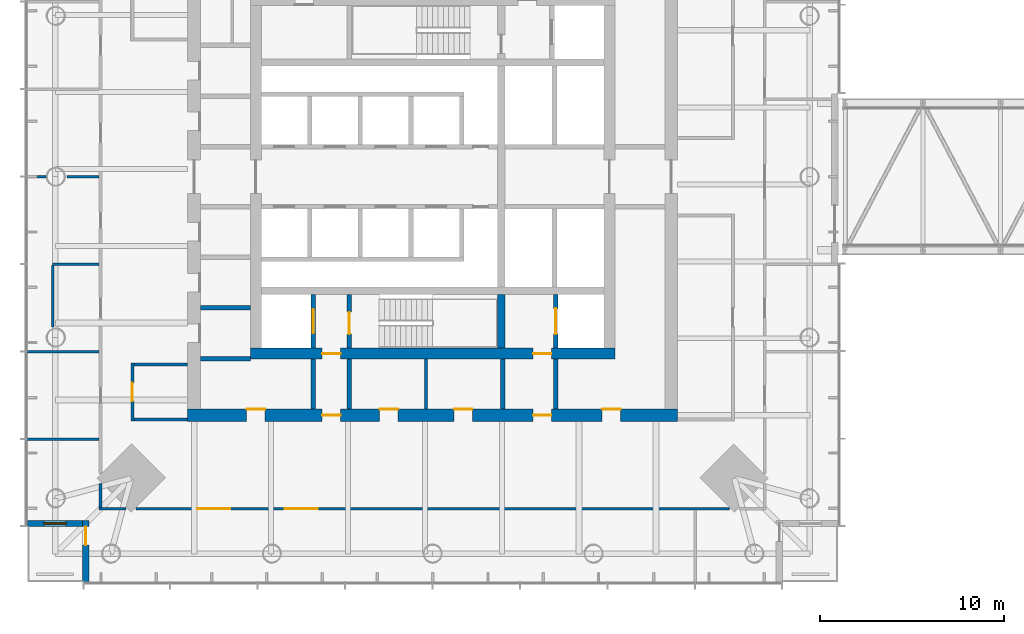
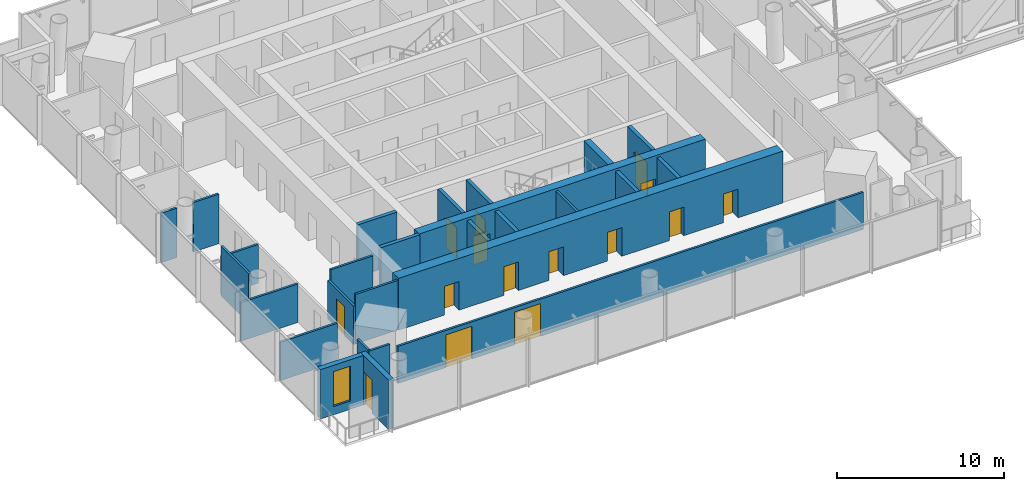
# One storey, part 12 of 19: 27 walls, 15 doors, 1 window, 16 openings.
"""IFC4 building model written with IfcOpenShell, lengths in metres."""

from ifc_helpers import new_model, si_unit, direction, frame, frame_2d, origin, place, context, subcontext, project, spatial, rectangle, extrude, material, layer, layer_set, type_object, element, fill, save


model = new_model("IFC4")

# Units and contexts
model_context = context("Model", 3, precision=1e-05, world=origin(), true_north=direction((0.0, 1.0)))
body_context = subcontext(model_context, "Body", "Model", "MODEL_VIEW")
ifc_project = project(units=[si_unit("LENGTHUNIT", "METRE"), si_unit("AREAUNIT", "SQUARE_METRE"), si_unit("VOLUMEUNIT", "CUBIC_METRE"), si_unit("PLANEANGLEUNIT", "RADIAN"), si_unit("MASSUNIT", "GRAM", prefix="KILO")], contexts=[model_context])

# Site, building, storey
site_placement = place(None, origin())
site = spatial("IfcSite", under=ifc_project, at=site_placement, CompositionType="ELEMENT")
building_placement = place(site_placement, origin())
building = spatial("IfcBuilding", under=site, at=building_placement, Name="Ostroluk Exchange", CompositionType="ELEMENT")
storey_placement = place(building_placement, frame((0.0, 0.0, 131.199951171875)))
storey = spatial("IfcBuildingStorey", under=building, at=storey_placement, Name="L33", CompositionType="ELEMENT", Elevation=131.199951171875)

# Walls
ifc_material_1 = material(Name="Concrete blockwork", Category="masonry")
ifc_layer_1 = layer(ifc_material_1, 0.14990234375)
ifc_layer_set_1 = layer_set([ifc_layer_1], Name="Blockwork plant room wall 150")
wall_type_1 = type_object("IfcWallType", Name="Blockwork plant room wall 150", PredefinedType="SOLIDWALL", material=ifc_layer_set_1)
wall_1_placement = place(storey_placement, frame((44.639892578125, 33.39990234375, 0.0), z_axis=(0.0, 0.0, 1.0), x_axis=(0.0, 1.0, 0.0)))
element("IfcWall", 1, at=wall_1_placement, inside=storey, type_object=wall_type_1, Name="Core room wall", PredefinedType="SOLIDWALL", context=body_context, shape_type="SweptSolid", body=[
    extrude(rectangle(XDim=2.7001953125, YDim=0.14990234375, at=frame_2d((1.35009765625, 0.0))), origin(), (0.0, 0.0, 1.0), 3.6201171875),
])
ifc_material_2 = material(Name="Concrete blockwork", Category="masonry")
ifc_layer_2 = layer(ifc_material_2, 0.25)
ifc_layer_set_2 = layer_set([ifc_layer_2], Name="Blockwork stair enclosure wall 250")
wall_type_2 = type_object("IfcWallType", Name="Blockwork stair enclosure wall 250", PredefinedType="SOLIDWALL", material=ifc_layer_set_2)
for number, where, z_axis, x_axis, name in (
    (2, (38.52490234375, 33.39990234375, 0.0), (0.0, 0.0, 1.0), (0.0, 1.0, 0.0), "Fire lobby enclosure wall"),
    (3, (40.47509765625, 33.39990234375, 0.0), (0.0, 0.0, 1.0), (0.0, 1.0, 0.0), "Fire lobby enclosure wall"),
    (4, (48.804931640625, 33.39990234375, 0.0), (0.0, 0.0, 1.0), (0.0, 1.0, 0.0), "Service lobby enclosure wall"),
    (5, (51.675048828125, 33.39990234375, 0.0), (0.0, 0.0, 1.0), (0.0, 1.0, 0.0), "Service lobby enclosure wall"),
):
    element("IfcWall", number, at=place(storey_placement, frame(where, z_axis=z_axis, x_axis=x_axis)), inside=storey, type_object=wall_type_2, Name=name, PredefinedType="SOLIDWALL", context=body_context, shape_type="SweptSolid", body=[
        extrude(rectangle(XDim=2.7001953125, YDim=0.25, at=frame_2d((1.35009765625, 0.0))), origin(), (0.0, 0.0, 1.0), 3.6201171875),
    ])
ifc_material_3 = material(Name="Concrete C50/60", Category="concrete")
ifc_layer_3 = layer(ifc_material_3, 0.39990234375)
ifc_layer_set_3 = layer_set([ifc_layer_3], Name="Core cross wall 400 C50/60")
wall_type_3 = type_object("IfcWallType", Name="Core cross wall 400 C50/60", PredefinedType="SHEAR", material=ifc_layer_set_3)
wall_2_placement = place(storey_placement, frame((48.72998046875, 36.699951171875, 0.0), z_axis=(0.0, 0.0, 1.0), x_axis=(0.0, 1.0, 0.0)))
element("IfcWall", 6, at=wall_2_placement, inside=storey, type_object=wall_type_3, Name="T1 core wall YE1", PredefinedType="SHEAR", context=body_context, shape_type="SweptSolid", body=[
    extrude(rectangle(XDim=2.900146484375, YDim=0.39990234375, at=frame_2d((1.4501953125, 0.0))), origin(), (0.0, 0.0, 1.0), 3.800048828125),
])

# Wall, opening, door
ifc_material_4 = material(Name="Concrete C40/50", Category="concrete")
ifc_layer_4 = layer(ifc_material_4, 0.25)
ifc_layer_set_4 = layer_set([ifc_layer_4], Name="Core shaft wall 250")
wall_type_4 = type_object("IfcWallType", Name="Core shaft wall 250", PredefinedType="SHEAR", material=ifc_layer_set_4)
wall_3_placement = place(storey_placement, frame((38.52490234375, 36.699951171875, 0.0), z_axis=(0.0, 0.0, 1.0), x_axis=(0.0, 1.0, 0.0)))
wall_3 = element("IfcWall", 7, at=wall_3_placement, inside=storey, type_object=wall_type_4, Name="Firefighting lift shaft wall", PredefinedType="SHEAR", context=body_context, shape_type="SweptSolid", body=[
    extrude(rectangle(XDim=2.900146484375, YDim=0.25, at=frame_2d((1.4501953125, 0.0))), origin(), (0.0, 0.0, 1.0), 3.800048828125),
])
opening_1_placement = place(wall_3_placement, frame((0.800048828125, 0.0, 0.0)))
opening_1 = element("IfcOpeningElement", 8, at=opening_1_placement, cuts=wall_3, Name="Opening LD2", PredefinedType="OPENING", context=body_context, shape_type="SweptSolid", body=[
    extrude(rectangle(XDim=1.300048828125, YDim=2.199951171875, at=frame_2d((0.64990234375, 1.10009765625))), frame((0.0, 0.135009765625, 0.0), z_axis=(0.0, -1.0, 0.0), x_axis=(1.0, 0.0, 0.0)), (0.0, 0.0, 1.0), 0.27001953125),
])
ifc_material_5 = material(Name="Stainless steel", Category="steel")
door_type_1 = type_object("IfcDoorType", Name="Lift landing door E 60 1300 x 2200", OperationType="DOUBLE_DOOR_SLIDING", PredefinedType="DOOR", material=ifc_material_5)
door_1_placement = place(opening_1_placement, origin())
door_1 = element("IfcDoor", 9, at=door_1_placement, inside=storey, type_object=door_type_1, Name="Lift FL1 landing door", OperationType="DOUBLE_DOOR_SLIDING", OverallHeight=2.199951171875, OverallWidth=1.300048828125, PredefinedType="DOOR", context=body_context, shape_type="SweptSolid", body=[
    extrude(rectangle(XDim=1.300048828125, YDim=2.199951171875, at=frame_2d((0.64990234375, 1.10009765625))), frame((0.0, 0.02490234375, 0.0), z_axis=(0.0, -1.0, 0.0), x_axis=(1.0, 0.0, 0.0)), (0.0, 0.0, 1.0), 0.050048828125),
])
fill(opening_1, door_1)

wall_4_placement = place(storey_placement, frame((40.47509765625, 36.699951171875, 0.0), z_axis=(0.0, 0.0, 1.0), x_axis=(0.0, 1.0, 0.0)))
wall_4 = element("IfcWall", 10, at=wall_4_placement, inside=storey, type_object=wall_type_4, Name="Stair shaft wall", PredefinedType="SHEAR", context=body_context, shape_type="SweptSolid", body=[
    extrude(rectangle(XDim=2.900146484375, YDim=0.25, at=frame_2d((1.4501953125, 0.0))), origin(), (0.0, 0.0, 1.0), 3.800048828125),
])
opening_2_placement = place(wall_4_placement, frame((0.75, 0.0, 0.0)))
opening_2 = element("IfcOpeningElement", 11, at=opening_2_placement, cuts=wall_4, Name="Opening FD60S", PredefinedType="OPENING", context=body_context, shape_type="SweptSolid", body=[
    extrude(rectangle(XDim=1.199951171875, YDim=2.10009765625, at=frame_2d((0.60009765625, 1.050048828125))), frame((0.0, 0.135009765625, 0.0), z_axis=(0.0, -1.0, 0.0), x_axis=(1.0, 0.0, 0.0)), (0.0, 0.0, 1.0), 0.27001953125),
])
ifc_material_6 = material(Name="Steel", Category="steel")
door_type_2 = type_object("IfcDoorType", Name="Stair door EI 60 1200 x 2100", OperationType="SINGLE_SWING_LEFT", PredefinedType="DOOR", material=ifc_material_6)
door_2_placement = place(opening_2_placement, origin())
door_2 = element("IfcDoor", 12, at=door_2_placement, inside=storey, type_object=door_type_2, Name="Stair T1-S1 door", OperationType="SINGLE_SWING_LEFT", OverallHeight=2.10009765625, OverallWidth=1.199951171875, PredefinedType="DOOR", context=body_context, shape_type="SweptSolid", body=[
    extrude(rectangle(XDim=1.199951171875, YDim=2.10009765625, at=frame_2d((0.60009765625, 1.050048828125))), frame((0.0, 0.02490234375, 0.0), z_axis=(0.0, -1.0, 0.0), x_axis=(1.0, 0.0, 0.0)), (0.0, 0.0, 1.0), 0.050048828125),
])
fill(opening_2, door_2)

wall_5_placement = place(storey_placement, frame((51.675048828125, 36.699951171875, 0.0), z_axis=(0.0, 0.0, 1.0), x_axis=(0.0, 1.0, 0.0)))
wall_5 = element("IfcWall", 13, at=wall_5_placement, inside=storey, type_object=wall_type_4, Name="Service lift shaft wall", PredefinedType="SHEAR", context=body_context, shape_type="SweptSolid", body=[
    extrude(rectangle(XDim=2.900146484375, YDim=0.25, at=frame_2d((1.4501953125, 0.0))), origin(), (0.0, 0.0, 1.0), 3.800048828125),
])
opening_3_placement = place(wall_5_placement, frame((0.75, 0.0, 0.0)))
opening_3 = element("IfcOpeningElement", 14, at=opening_3_placement, cuts=wall_5, Name="Opening LD3", PredefinedType="OPENING", context=body_context, shape_type="SweptSolid", body=[
    extrude(rectangle(XDim=1.39990234375, YDim=2.39990234375, at=frame_2d((0.699951171875, 1.199951171875))), frame((0.0, 0.135009765625, 0.0), z_axis=(0.0, -1.0, 0.0), x_axis=(1.0, 0.0, 0.0)), (0.0, 0.0, 1.0), 0.27001953125),
])
ifc_material_7 = material(Name="Stainless steel", Category="steel")
door_type_3 = type_object("IfcDoorType", Name="Goods lift landing door E 60 1400 x 2400", OperationType="DOUBLE_DOOR_SLIDING", PredefinedType="DOOR", material=ifc_material_7)
door_3_placement = place(opening_3_placement, origin())
door_3 = element("IfcDoor", 15, at=door_3_placement, inside=storey, type_object=door_type_3, Name="Lift SL1 landing door", OperationType="DOUBLE_DOOR_SLIDING", OverallHeight=2.39990234375, OverallWidth=1.39990234375, PredefinedType="DOOR", context=body_context, shape_type="SweptSolid", body=[
    extrude(rectangle(XDim=1.39990234375, YDim=2.39990234375, at=frame_2d((0.699951171875, 1.199951171875))), frame((0.0, 0.02490234375, 0.0), z_axis=(0.0, -1.0, 0.0), x_axis=(1.0, 0.0, 0.0)), (0.0, 0.0, 1.0), 0.050048828125),
])
fill(opening_3, door_3)

# Walls
for number, where, z_axis, x_axis, name in (
    (16, (32.39990234375, 36.125, 0.0), (0.0, 0.0, 1.0), (1.0, 0.0, 0.0), "Lift shaft wall"),
    (17, (32.39990234375, 38.875, 0.0), (0.0, 0.0, 1.0), (1.0, 0.0, 0.0), "Lift shaft wall"),
):
    element("IfcWall", number, at=place(storey_placement, frame(where, z_axis=z_axis, x_axis=x_axis)), inside=storey, type_object=wall_type_4, Name=name, PredefinedType="SHEAR", context=body_context, shape_type="SweptSolid", body=[
        extrude(rectangle(XDim=2.7001953125, YDim=0.25, at=frame_2d((1.35009765625, 0.0))), origin(), (0.0, 0.0, 1.0), 3.800048828125),
    ])

# Wall, openings, doors
ifc_material_8 = material(Name="Concrete C50/60", Category="concrete")
ifc_layer_5 = layer(ifc_material_8, 0.60009765625)
ifc_layer_set_5 = layer_set([ifc_layer_5], Name="Core wall 600 C50/60")
wall_type_5 = type_object("IfcWallType", Name="Core wall 600 C50/60", PredefinedType="SHEAR", material=ifc_layer_set_5)
wall_6_placement = place(storey_placement, frame((35.10009765625, 36.39990234375, 0.0), z_axis=(0.0, 0.0, 1.0), x_axis=(1.0, 0.0, 0.0)))
wall_6 = element("IfcWall", 18, at=wall_6_placement, inside=storey, type_object=wall_type_5, Name="T1 core wall S", PredefinedType="SHEAR", context=body_context, shape_type="SweptSolid", body=[
    extrude(rectangle(XDim=19.7998046875, YDim=0.60009765625, at=frame_2d((9.89990234375, 0.0))), origin(), (0.0, 0.0, 1.0), 3.800048828125),
])
opening_4_placement = place(wall_6_placement, frame((3.89990234375, 0.0, 0.0)))
opening_4 = element("IfcOpeningElement", 19, at=opening_4_placement, cuts=wall_6, Name="Opening FD60", PredefinedType="OPENING", context=body_context, shape_type="SweptSolid", body=[
    extrude(rectangle(XDim=1.0, YDim=2.10009765625, at=frame_2d((0.5, 1.050048828125))), frame((0.0, 0.31005859375, 0.0), z_axis=(0.0, -1.0, 0.0), x_axis=(1.0, 0.0, 0.0)), (0.0, 0.0, 1.0), 0.6201171875),
])
opening_5_placement = place(wall_6_placement, frame((15.35009765625, 0.0, 0.0)))
opening_5 = element("IfcOpeningElement", 20, at=opening_5_placement, cuts=wall_6, Name="Opening FD60", PredefinedType="OPENING", context=body_context, shape_type="SweptSolid", body=[
    extrude(rectangle(XDim=1.0, YDim=2.10009765625, at=frame_2d((0.5, 1.050048828125))), frame((0.0, 0.31005859375, 0.0), z_axis=(0.0, -1.0, 0.0), x_axis=(1.0, 0.0, 0.0)), (0.0, 0.0, 1.0), 0.6201171875),
])
ifc_material_9 = material(Name="Steel", Category="steel")
door_type_4 = type_object("IfcDoorType", Name="Fire door EI 60 1000 x 2100", OperationType="SINGLE_SWING_LEFT", PredefinedType="DOOR", material=ifc_material_9)
door_4_placement = place(opening_4_placement, origin())
door_4 = element("IfcDoor", 21, at=door_4_placement, inside=storey, type_object=door_type_4, Name="Firefighting lobby door", OperationType="SINGLE_SWING_LEFT", OverallHeight=2.10009765625, OverallWidth=1.0, PredefinedType="DOOR", context=body_context, shape_type="SweptSolid", body=[
    extrude(rectangle(XDim=1.0, YDim=2.10009765625, at=frame_2d((0.5, 1.050048828125))), frame((0.0, 0.02490234375, 0.0), z_axis=(0.0, -1.0, 0.0), x_axis=(1.0, 0.0, 0.0)), (0.0, 0.0, 1.0), 0.050048828125),
])
fill(opening_4, door_4)
door_5_placement = place(opening_5_placement, origin())
door_5 = element("IfcDoor", 22, at=door_5_placement, inside=storey, type_object=door_type_4, Name="Service lobby door", OperationType="SINGLE_SWING_RIGHT", OverallHeight=2.10009765625, OverallWidth=1.0, PredefinedType="DOOR", context=body_context, shape_type="SweptSolid", body=[
    extrude(rectangle(XDim=1.0, YDim=2.10009765625, at=frame_2d((0.5, 1.050048828125))), frame((0.0, 0.02490234375, 0.0), z_axis=(0.0, -1.0, 0.0), x_axis=(1.0, 0.0, 0.0)), (0.0, 0.0, 1.0), 0.050048828125),
])
fill(opening_5, door_5)

ifc_material_10 = material(Name="Concrete C50/60", Category="concrete")
ifc_layer_6 = layer(ifc_material_10, 0.699951171875)
ifc_layer_set_6 = layer_set([ifc_layer_6], Name="Core wall 700 C50/60")
wall_type_6 = type_object("IfcWallType", Name="Core wall 700 C50/60", PredefinedType="SHEAR", material=ifc_layer_set_6)
wall_7_placement = place(storey_placement, frame((31.699951171875, 33.050048828125, 0.0), z_axis=(0.0, 0.0, 1.0), x_axis=(1.0, 0.0, 0.0)))
wall_7 = element("IfcWall", 23, at=wall_7_placement, inside=storey, type_object=wall_type_6, Name="T1 core wall RS", PredefinedType="SHEAR", context=body_context, shape_type="SweptSolid", body=[
    extrude(rectangle(XDim=26.60009765625, YDim=0.699951171875, at=frame_2d((13.300048828125, 0.0))), origin(), (0.0, 0.0, 1.0), 3.800048828125),
])
opening_6_placement = place(wall_7_placement, frame((7.300048828125, 0.0, 0.0)))
opening_6 = element("IfcOpeningElement", 24, at=opening_6_placement, cuts=wall_7, Name="Opening FD60", PredefinedType="OPENING", context=body_context, shape_type="SweptSolid", body=[
    extrude(rectangle(XDim=1.0, YDim=2.10009765625, at=frame_2d((0.5, 1.050048828125))), frame((0.0, 0.35986328125, 0.0), z_axis=(0.0, -1.0, 0.0), x_axis=(1.0, 0.0, 0.0)), (0.0, 0.0, 1.0), 0.719970703125),
])
opening_7_placement = place(wall_7_placement, frame((18.75, 0.0, 0.0)))
opening_7 = element("IfcOpeningElement", 25, at=opening_7_placement, cuts=wall_7, Name="Opening FD60", PredefinedType="OPENING", context=body_context, shape_type="SweptSolid", body=[
    extrude(rectangle(XDim=1.0, YDim=2.10009765625, at=frame_2d((0.5, 1.050048828125))), frame((0.0, 0.35986328125, 0.0), z_axis=(0.0, -1.0, 0.0), x_axis=(1.0, 0.0, 0.0)), (0.0, 0.0, 1.0), 0.719970703125),
])
opening_8_placement = place(wall_7_placement, frame((3.199951171875, 0.0, 0.0)))
opening_8 = element("IfcOpeningElement", 26, at=opening_8_placement, cuts=wall_7, Name="Opening FD60", PredefinedType="OPENING", context=body_context, shape_type="SweptSolid", body=[
    extrude(rectangle(XDim=1.0, YDim=2.10009765625, at=frame_2d((0.5, 1.050048828125))), frame((0.0, 0.35986328125, 0.0), z_axis=(0.0, -1.0, 0.0), x_axis=(1.0, 0.0, 0.0)), (0.0, 0.0, 1.0), 0.719970703125),
])
opening_9_placement = place(wall_7_placement, frame((10.419921875, 0.0, 0.0)))
opening_9 = element("IfcOpeningElement", 27, at=opening_9_placement, cuts=wall_7, Name="Opening FD60", PredefinedType="OPENING", context=body_context, shape_type="SweptSolid", body=[
    extrude(rectangle(XDim=1.0, YDim=2.10009765625, at=frame_2d((0.5, 1.050048828125))), frame((0.0, 0.35986328125, 0.0), z_axis=(0.0, -1.0, 0.0), x_axis=(1.0, 0.0, 0.0)), (0.0, 0.0, 1.0), 0.719970703125),
])
opening_10_placement = place(wall_7_placement, frame((14.4599609375, 0.0, 0.0)))
opening_10 = element("IfcOpeningElement", 28, at=opening_10_placement, cuts=wall_7, Name="Opening FD60", PredefinedType="OPENING", context=body_context, shape_type="SweptSolid", body=[
    extrude(rectangle(XDim=1.0, YDim=2.10009765625, at=frame_2d((0.5, 1.050048828125))), frame((0.0, 0.35986328125, 0.0), z_axis=(0.0, -1.0, 0.0), x_axis=(1.0, 0.0, 0.0)), (0.0, 0.0, 1.0), 0.719970703125),
])
opening_11_placement = place(wall_7_placement, frame((22.5, 0.0, 0.0)))
opening_11 = element("IfcOpeningElement", 29, at=opening_11_placement, cuts=wall_7, Name="Opening FD60", PredefinedType="OPENING", context=body_context, shape_type="SweptSolid", body=[
    extrude(rectangle(XDim=1.0, YDim=2.10009765625, at=frame_2d((0.5, 1.050048828125))), frame((0.0, 0.35986328125, 0.0), z_axis=(0.0, -1.0, 0.0), x_axis=(1.0, 0.0, 0.0)), (0.0, 0.0, 1.0), 0.719970703125),
])
door_6_placement = place(opening_6_placement, origin())
door_6 = element("IfcDoor", 30, at=door_6_placement, inside=storey, type_object=door_type_4, Name="Firefighting lobby door", OperationType="SINGLE_SWING_LEFT", OverallHeight=2.10009765625, OverallWidth=1.0, PredefinedType="DOOR", context=body_context, shape_type="SweptSolid", body=[
    extrude(rectangle(XDim=1.0, YDim=2.10009765625, at=frame_2d((0.5, 1.050048828125))), frame((0.0, 0.02490234375, 0.0), z_axis=(0.0, -1.0, 0.0), x_axis=(1.0, 0.0, 0.0)), (0.0, 0.0, 1.0), 0.050048828125),
])
fill(opening_6, door_6)
door_7_placement = place(opening_7_placement, origin())
door_7 = element("IfcDoor", 31, at=door_7_placement, inside=storey, type_object=door_type_4, Name="Service lobby door", OperationType="SINGLE_SWING_RIGHT", OverallHeight=2.10009765625, OverallWidth=1.0, PredefinedType="DOOR", context=body_context, shape_type="SweptSolid", body=[
    extrude(rectangle(XDim=1.0, YDim=2.10009765625, at=frame_2d((0.5, 1.050048828125))), frame((0.0, 0.02490234375, 0.0), z_axis=(0.0, -1.0, 0.0), x_axis=(1.0, 0.0, 0.0)), (0.0, 0.0, 1.0), 0.050048828125),
])
fill(opening_7, door_7)
door_8_placement = place(opening_8_placement, origin())
door_8 = element("IfcDoor", 32, at=door_8_placement, inside=storey, type_object=door_type_4, Name="Archive door", OperationType="SINGLE_SWING_LEFT", OverallHeight=2.10009765625, OverallWidth=1.0, PredefinedType="DOOR", context=body_context, shape_type="SweptSolid", body=[
    extrude(rectangle(XDim=1.0, YDim=2.10009765625, at=frame_2d((0.5, 1.050048828125))), frame((0.0, 0.33984375, 0.0), z_axis=(0.0, -1.0, 0.0), x_axis=(1.0, 0.0, 0.0)), (0.0, 0.0, 1.0), 0.050048828125),
])
fill(opening_8, door_8)
door_9_placement = place(opening_9_placement, origin())
door_9 = element("IfcDoor", 33, at=door_9_placement, inside=storey, type_object=door_type_4, Name="Tea point door", OperationType="SINGLE_SWING_LEFT", OverallHeight=2.10009765625, OverallWidth=1.0, PredefinedType="DOOR", context=body_context, shape_type="SweptSolid", body=[
    extrude(rectangle(XDim=1.0, YDim=2.10009765625, at=frame_2d((0.5, 1.050048828125))), frame((0.0, 0.33984375, 0.0), z_axis=(0.0, -1.0, 0.0), x_axis=(1.0, 0.0, 0.0)), (0.0, 0.0, 1.0), 0.050048828125),
])
fill(opening_9, door_9)
door_10_placement = place(opening_10_placement, origin())
door_10 = element("IfcDoor", 34, at=door_10_placement, inside=storey, type_object=door_type_4, Name="Print and post room door", OperationType="SINGLE_SWING_RIGHT", OverallHeight=2.10009765625, OverallWidth=1.0, PredefinedType="DOOR", context=body_context, shape_type="SweptSolid", body=[
    extrude(rectangle(XDim=1.0, YDim=2.10009765625, at=frame_2d((0.5, 1.050048828125))), frame((0.0, 0.33984375, 0.0), z_axis=(0.0, -1.0, 0.0), x_axis=(1.0, 0.0, 0.0)), (0.0, 0.0, 1.0), 0.050048828125),
])
fill(opening_10, door_10)
door_11_placement = place(opening_11_placement, origin())
door_11 = element("IfcDoor", 35, at=door_11_placement, inside=storey, type_object=door_type_4, Name="Tenant IT room door", OperationType="SINGLE_SWING_RIGHT", OverallHeight=2.10009765625, OverallWidth=1.0, PredefinedType="DOOR", context=body_context, shape_type="SweptSolid", body=[
    extrude(rectangle(XDim=1.0, YDim=2.10009765625, at=frame_2d((0.5, 1.050048828125))), frame((0.0, 0.33984375, 0.0), z_axis=(0.0, -1.0, 0.0), x_axis=(1.0, 0.0, 0.0)), (0.0, 0.0, 1.0), 0.050048828125),
])
fill(opening_11, door_11)

# Wall, opening, door
ifc_material_11 = material(Name="Limestone", Category="masonry")
ifc_layer_7 = layer(ifc_material_11, 0.35009765625)
ifc_layer_set_7 = layer_set([ifc_layer_7], Name="Limestone facade wall 350")
wall_type_7 = type_object("IfcWallType", Name="Limestone facade wall 350", PredefinedType="SOLIDWALL", material=ifc_layer_set_7)
wall_8_placement = place(storey_placement, frame((26.175048828125, 24.0, 0.0), z_axis=(0.0, 0.0, 1.0), x_axis=(0.0, 1.0, 0.0)))
wall_8 = element("IfcWall", 36, at=wall_8_placement, inside=storey, type_object=wall_type_7, Name="Office tower SW corner wall L33 a", PredefinedType="SOLIDWALL", context=body_context, shape_type="SweptSolid", body=[
    extrude(rectangle(XDim=3.35009765625, YDim=0.35009765625, at=frame_2d((1.675048828125, 0.0))), origin(), (0.0, 0.0, 1.0), 3.6201171875),
])
opening_12_placement = place(wall_8_placement, frame((2.0, 0.0, 0.0)))
opening_12 = element("IfcOpeningElement", 37, at=opening_12_placement, cuts=wall_8, Name="Opening D-B1", PredefinedType="OPENING", context=body_context, shape_type="SweptSolid", body=[
    extrude(rectangle(XDim=1.0, YDim=2.39990234375, at=frame_2d((0.5, 1.199951171875))), frame((0.0, 0.18505859375, 0.0), z_axis=(0.0, -1.0, 0.0), x_axis=(1.0, 0.0, 0.0)), (0.0, 0.0, 1.0), 0.3701171875),
])
ifc_material_12 = material(Name="Bronze framed glazed door", Category="aluminium")
door_type_5 = type_object("IfcDoorType", Name="Balcony door 1000 x 2400", OperationType="SINGLE_SWING_LEFT", PredefinedType="DOOR", material=ifc_material_12)
door_12_placement = place(opening_12_placement, origin())
door_12 = element("IfcDoor", 38, at=door_12_placement, inside=storey, type_object=door_type_5, Name="Office tower SW balcony door L33", OperationType="SINGLE_SWING_RIGHT", OverallHeight=2.39990234375, OverallWidth=1.0, PredefinedType="DOOR", context=body_context, shape_type="SweptSolid", body=[
    extrude(rectangle(XDim=1.0, YDim=2.39990234375, at=frame_2d((0.5, 1.199951171875))), frame((0.0, 0.02490234375, 0.0), z_axis=(0.0, -1.0, 0.0), x_axis=(1.0, 0.0, 0.0)), (0.0, 0.0, 1.0), 0.050048828125),
])
fill(opening_12, door_12)

# Wall, opening, window
wall_9_placement = place(storey_placement, frame((26.0, 27.175048828125, 0.0), z_axis=(0.0, 0.0, 1.0), x_axis=(-1.0, 0.0, 0.0)))
wall_9 = element("IfcWall", 39, at=wall_9_placement, inside=storey, type_object=wall_type_7, Name="Office tower SW corner wall L33 b", PredefinedType="SOLIDWALL", context=body_context, shape_type="SweptSolid", body=[
    extrude(rectangle(XDim=3.0, YDim=0.35009765625, at=frame_2d((1.5, 0.0))), origin(), (0.0, 0.0, 1.0), 3.6201171875),
])
opening_13_placement = place(wall_9_placement, frame((0.89990234375, 0.0, 0.60009765625)))
opening_13 = element("IfcOpeningElement", 40, at=opening_13_placement, cuts=wall_9, Name="Opening WN-L1", PredefinedType="OPENING", context=body_context, shape_type="SweptSolid", body=[
    extrude(rectangle(XDim=1.199951171875, YDim=2.550048828125, at=frame_2d((0.60009765625, 1.27490234375))), frame((0.0, 0.18505859375, 0.0), z_axis=(0.0, -1.0, 0.0), x_axis=(1.0, 0.0, 0.0)), (0.0, 0.0, 1.0), 0.3701171875),
])
ifc_material_13 = material(Name="Laminated clear glass", Category="glass")
window_type = type_object("IfcWindowType", Name="Lancet window 1200 x 2550", PartitioningType="SINGLE_PANEL", PredefinedType="WINDOW", material=ifc_material_13)
window_placement = place(opening_13_placement, origin())
window = element("IfcWindow", 41, at=window_placement, inside=storey, type_object=window_type, Name="Office tower SW lancet window L33", OverallHeight=2.550048828125, OverallWidth=1.199951171875, PartitioningType="SINGLE_PANEL", PredefinedType="WINDOW", context=body_context, shape_type="SweptSolid", body=[
    extrude(rectangle(XDim=1.199951171875, YDim=2.550048828125, at=frame_2d((0.60009765625, 1.27490234375))), frame((0.0, 0.030029296875, 0.0), z_axis=(0.0, -1.0, 0.0), x_axis=(1.0, 0.0, 0.0)), (0.0, 0.0, 1.0), 0.06005859375),
])
fill(opening_13, window)

# Wall, opening, door
ifc_material_14 = material(Name="Gypsum plasterboard partition", Category="gypsum")
ifc_layer_8 = layer(ifc_material_14, 0.14990234375)
ifc_layer_set_8 = layer_set([ifc_layer_8], Name="Plasterboard partition 150")
wall_type_8 = type_object("IfcWallType", Name="Plasterboard partition 150", PredefinedType="PARTITIONING", material=ifc_layer_set_8)
wall_10_placement = place(storey_placement, frame((28.699951171875, 35.875, 0.0), z_axis=(0.0, 0.0, 1.0), x_axis=(0.0, -1.0, 0.0)))
wall_10 = element("IfcWall", 42, at=wall_10_placement, inside=storey, type_object=wall_type_8, Name="Partition", PredefinedType="PARTITIONING", context=body_context, shape_type="SweptSolid", body=[
    extrude(rectangle(XDim=3.125, YDim=0.14990234375, at=frame_2d((1.5625, 0.0))), origin(), (0.0, 0.0, 1.0), 2.80615234375),
])
opening_14_placement = place(wall_10_placement, frame((1.0625, 0.0, 0.0)))
opening_14 = element("IfcOpeningElement", 43, at=opening_14_placement, cuts=wall_10, Name="Opening D-03", PredefinedType="OPENING", context=body_context, shape_type="SweptSolid", body=[
    extrude(rectangle(XDim=1.0, YDim=2.10009765625, at=frame_2d((0.5, 1.050048828125))), frame((0.0, 0.0849609375, 0.0), z_axis=(0.0, -1.0, 0.0), x_axis=(1.0, 0.0, 0.0)), (0.0, 0.0, 1.0), 0.169921875),
])
ifc_material_15 = material(Name="Timber", Category="wood")
door_type_6 = type_object("IfcDoorType", Name="Internal door 1000 x 2100", OperationType="SINGLE_SWING_LEFT", PredefinedType="DOOR", material=ifc_material_15)
door_13_placement = place(opening_14_placement, origin())
door_13 = element("IfcDoor", 44, at=door_13_placement, inside=storey, type_object=door_type_6, Name="Interview room door", OperationType="SINGLE_SWING_LEFT", OverallHeight=2.10009765625, OverallWidth=1.0, PredefinedType="DOOR", context=body_context, shape_type="SweptSolid", body=[
    extrude(rectangle(XDim=1.0, YDim=2.10009765625, at=frame_2d((0.5, 1.050048828125))), frame((0.0, 0.02490234375, 0.0), z_axis=(0.0, -1.0, 0.0), x_axis=(1.0, 0.0, 0.0)), (0.0, 0.0, 1.0), 0.050048828125),
])
fill(opening_14, door_13)

# Walls
for number, where, z_axis, x_axis, name in (
    (45, (31.699951171875, 35.800048828125, 0.0), (0.0, 0.0, 1.0), (-1.0, 0.0, 0.0), "Partition"),
    (46, (31.699951171875, 32.824951171875, 0.0), (0.0, 0.0, 1.0), (-1.0, 0.0, 0.0), "Partition"),
):
    element("IfcWall", number, at=place(storey_placement, frame(where, z_axis=z_axis, x_axis=x_axis)), inside=storey, type_object=wall_type_8, Name=name, PredefinedType="PARTITIONING", context=body_context, shape_type="SweptSolid", body=[
        extrude(rectangle(XDim=2.925048828125, YDim=0.14990234375, at=frame_2d((1.46240234375, 0.0))), origin(), (0.0, 0.0, 1.0), 3.6201171875),
    ])
wall_11_placement = place(storey_placement, frame((26.97509765625, 29.3544921875, 0.0), z_axis=(0.0, 0.0, 1.0), x_axis=(0.0, -1.0, 0.0)))
element("IfcWall", 47, at=wall_11_placement, inside=storey, type_object=wall_type_8, Name="Partition", PredefinedType="PARTITIONING", context=body_context, shape_type="SweptSolid", body=[
    extrude(rectangle(XDim=1.304443359375, YDim=0.14990234375, at=frame_2d((0.65234375, 0.0))), origin(), (0.0, 0.0, 1.0), 3.070068359375),
])
wall_12_placement = place(storey_placement, frame((26.89990234375, 46.0, 0.0), z_axis=(0.0, 0.0, 1.0), x_axis=(-1.0, 0.0, 0.0)))
element("IfcWall", 48, at=wall_12_placement, inside=storey, type_object=wall_type_8, Name="Partition", PredefinedType="PARTITIONING", context=body_context, shape_type="SweptSolid", body=[
    extrude(rectangle(XDim=1.7490234375, YDim=0.14990234375, at=frame_2d((0.87451171875, 0.0))), origin(), (0.0, 0.0, 1.0), 3.6201171875),
])
wall_13_placement = place(storey_placement, frame((24.013427734375, 46.0, 0.0), z_axis=(0.0, 0.0, 1.0), x_axis=(-1.0, 0.0, 0.0)))
element("IfcWall", 49, at=wall_13_placement, inside=storey, type_object=wall_type_8, Name="Partition", PredefinedType="PARTITIONING", context=body_context, shape_type="SweptSolid", body=[
    extrude(rectangle(XDim=1.053466796875, YDim=0.14990234375, at=frame_2d((0.52685546875, 0.0))), origin(), (0.0, 0.0, 1.0), 3.6201171875),
])
wall_14_placement = place(storey_placement, frame((26.89990234375, 41.25, 0.0), z_axis=(0.0, 0.0, 1.0), x_axis=(-1.0, 0.0, 0.0)))
element("IfcWall", 50, at=wall_14_placement, inside=storey, type_object=wall_type_8, Name="Partition", PredefinedType="PARTITIONING", context=body_context, shape_type="SweptSolid", body=[
    extrude(rectangle(XDim=2.52490234375, YDim=0.14990234375, at=frame_2d((1.262451171875, 0.0))), origin(), (0.0, 0.0, 1.0), 2.820068359375),
])
for number, where, z_axis, x_axis, name in (
    (51, (26.89990234375, 36.5, 0.0), (0.0, 0.0, 1.0), (-1.0, 0.0, 0.0), "Partition"),
    (52, (26.89990234375, 31.75, 0.0), (0.0, 0.0, 1.0), (-1.0, 0.0, 0.0), "Partition"),
):
    element("IfcWall", number, at=place(storey_placement, frame(where, z_axis=z_axis, x_axis=x_axis)), inside=storey, type_object=wall_type_8, Name=name, PredefinedType="PARTITIONING", context=body_context, shape_type="SweptSolid", body=[
        extrude(rectangle(XDim=3.93994140625, YDim=0.14990234375, at=frame_2d((1.969970703125, 0.0))), origin(), (0.0, 0.0, 1.0), 2.820068359375),
    ])
wall_15_placement = place(storey_placement, frame((26.89990234375, 27.97509765625, 0.0), z_axis=(0.0, 0.0, 1.0), x_axis=(1.0, 0.0, 0.0)))
element("IfcWall", 53, at=wall_15_placement, inside=storey, type_object=wall_type_8, Name="Partition", PredefinedType="PARTITIONING", context=body_context, shape_type="SweptSolid", body=[
    extrude(rectangle(XDim=1.45458984375, YDim=0.14990234375, at=frame_2d((0.727294921875, 0.0))), origin(), (0.0, 0.0, 1.0), 3.070068359375),
])

# Wall, openings, doors
wall_16_placement = place(storey_placement, frame((28.888427734375, 27.97509765625, 0.0), z_axis=(0.0, 0.0, 1.0), x_axis=(1.0, 0.0, 0.0)))
wall_16 = element("IfcWall", 54, at=wall_16_placement, inside=storey, type_object=wall_type_8, Name="Partition", PredefinedType="PARTITIONING", context=body_context, shape_type="SweptSolid", body=[
    extrude(rectangle(XDim=32.22314453125, YDim=0.14990234375, at=frame_2d((16.111572265625, 0.0))), origin(), (0.0, 0.0, 1.0), 2.719970703125),
])
opening_15_placement = place(wall_16_placement, frame((3.33642578125, 0.0, 0.0)))
opening_15 = element("IfcOpeningElement", 55, at=opening_15_placement, cuts=wall_16, Name="Opening D-04", PredefinedType="OPENING", context=body_context, shape_type="SweptSolid", body=[
    extrude(rectangle(XDim=1.800048828125, YDim=2.39990234375, at=frame_2d((0.89990234375, 1.199951171875))), frame((0.0, 0.0849609375, 0.0), z_axis=(0.0, -1.0, 0.0), x_axis=(1.0, 0.0, 0.0)), (0.0, 0.0, 1.0), 0.169921875),
])
opening_16_placement = place(wall_16_placement, frame((8.08642578125, 0.0, 0.0)))
opening_16 = element("IfcOpeningElement", 56, at=opening_16_placement, cuts=wall_16, Name="Opening D-04", PredefinedType="OPENING", context=body_context, shape_type="SweptSolid", body=[
    extrude(rectangle(XDim=1.800048828125, YDim=2.39990234375, at=frame_2d((0.89990234375, 1.199951171875))), frame((0.0, 0.0849609375, 0.0), z_axis=(0.0, -1.0, 0.0), x_axis=(1.0, 0.0, 0.0)), (0.0, 0.0, 1.0), 0.169921875),
])
ifc_material_16 = material(Name="Timber", Category="wood")
door_type_7 = type_object("IfcDoorType", Name="Double door 1800 x 2400", OperationType="DOUBLE_DOOR_SINGLE_SWING", PredefinedType="DOOR", material=ifc_material_16)
door_14_placement = place(opening_15_placement, origin())
door_14 = element("IfcDoor", 57, at=door_14_placement, inside=storey, type_object=door_type_7, Name="Open plan office door", OperationType="DOUBLE_DOOR_SINGLE_SWING", OverallHeight=2.39990234375, OverallWidth=1.800048828125, PredefinedType="DOOR", context=body_context, shape_type="SweptSolid", body=[
    extrude(rectangle(XDim=1.800048828125, YDim=2.39990234375, at=frame_2d((0.89990234375, 1.199951171875))), frame((0.0, 0.02490234375, 0.0), z_axis=(0.0, -1.0, 0.0), x_axis=(1.0, 0.0, 0.0)), (0.0, 0.0, 1.0), 0.050048828125),
])
fill(opening_15, door_14)
door_15_placement = place(opening_16_placement, origin())
door_15 = element("IfcDoor", 58, at=door_15_placement, inside=storey, type_object=door_type_7, Name="Open plan office door", OperationType="DOUBLE_DOOR_SINGLE_SWING", OverallHeight=2.39990234375, OverallWidth=1.800048828125, PredefinedType="DOOR", context=body_context, shape_type="SweptSolid", body=[
    extrude(rectangle(XDim=1.800048828125, YDim=2.39990234375, at=frame_2d((0.89990234375, 1.199951171875))), frame((0.0, 0.02490234375, 0.0), z_axis=(0.0, -1.0, 0.0), x_axis=(1.0, 0.0, 0.0)), (0.0, 0.0, 1.0), 0.050048828125),
])
fill(opening_16, door_15)

# Wall
ifc_material_17 = material(Name="Gypsum plasterboard partition, moisture resistant", Category="gypsum")
ifc_layer_9 = layer(ifc_material_17, 0.14990234375)
ifc_layer_set_9 = layer_set([ifc_layer_9], Name="Plasterboard toilet partition 150")
wall_type_9 = type_object("IfcWallType", Name="Plasterboard toilet partition 150", PredefinedType="PARTITIONING", material=ifc_layer_set_9)
wall_17_placement = place(storey_placement, frame((24.375, 41.175048828125, 0.0), z_axis=(0.0, 0.0, 1.0), x_axis=(0.0, -1.0, 0.0)))
element("IfcWall", 59, at=wall_17_placement, inside=storey, type_object=wall_type_9, Name="Toilet partition", PredefinedType="PARTITIONING", context=body_context, shape_type="SweptSolid", body=[
    extrude(rectangle(XDim=3.345703125, YDim=0.14990234375, at=frame_2d((1.6728515625, 0.0))), origin(), (0.0, 0.0, 1.0), 3.6201171875),
])

save(model, "model.ifc")
